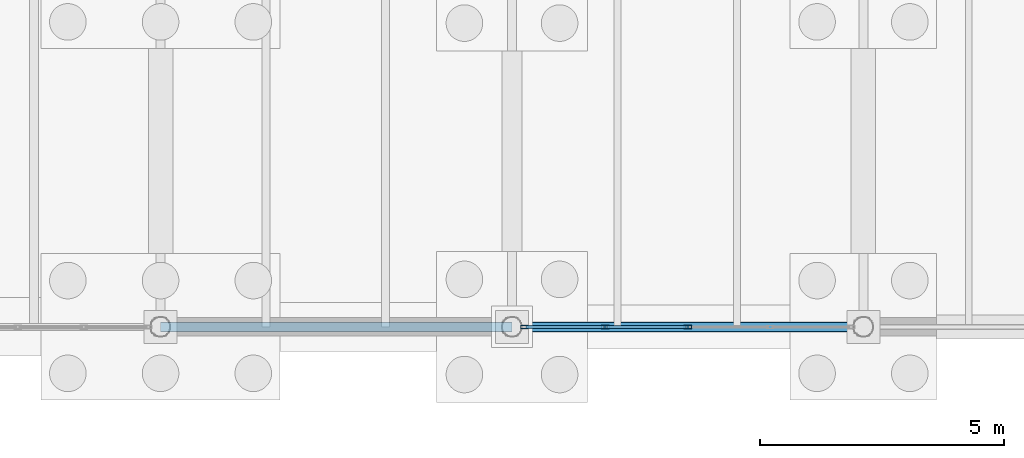
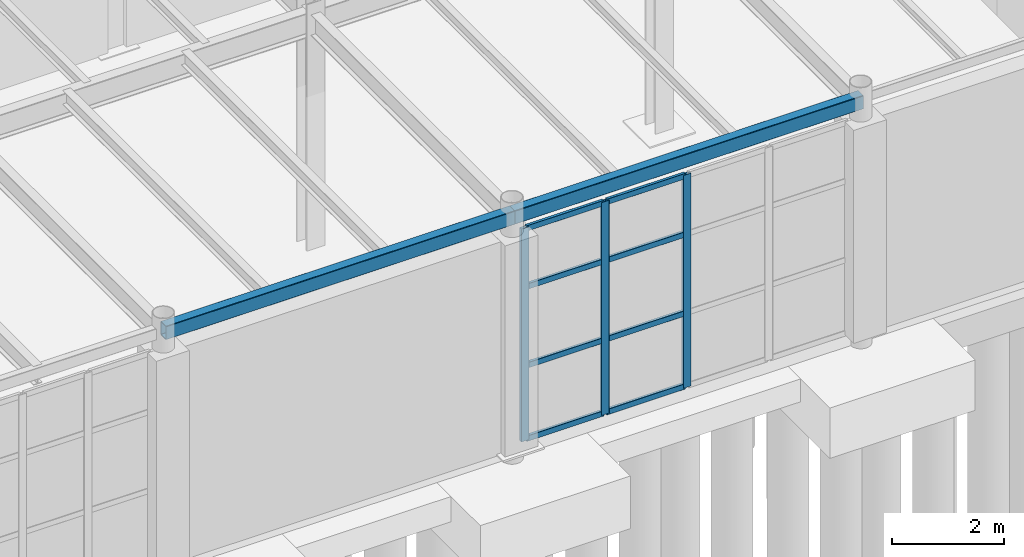
# One storey, part 51 of 293: 11 members, 2 beams, 1 element without a shape of its own.
"""IFC4 building model written with IfcOpenShell, lengths in metres."""

from ifc_helpers import new_model, si_unit, direction, frame, origin, origin_2d, place, context, subcontext, project, spatial, hollow_rectangle, extrude, material, layer, layer_set, material_profile, profile_set, type_object, element, aggregate, save


model = new_model("IFC4")

# Units and contexts
model_context = context("Model", 3, precision=1e-05, world=origin(), true_north=direction((0.0, 1.0)))
body_context = subcontext(model_context, "Body", "Model", "MODEL_VIEW")
ifc_project = project(units=[si_unit("LENGTHUNIT", "METRE"), si_unit("AREAUNIT", "SQUARE_METRE"), si_unit("VOLUMEUNIT", "CUBIC_METRE"), si_unit("PLANEANGLEUNIT", "RADIAN"), si_unit("MASSUNIT", "GRAM", prefix="KILO")], contexts=[model_context])

# Site, building, storey
site_placement = place(None, origin())
site = spatial("IfcSite", under=ifc_project, at=site_placement, CompositionType="ELEMENT")
building_placement = place(site_placement, origin())
building = spatial("IfcBuilding", under=site, at=building_placement, Name="Kemerveld Promenade Tramway Depot", CompositionType="ELEMENT")
storey_placement = place(building_placement, origin())
storey = spatial("IfcBuildingStorey", under=building, at=storey_placement, Name="L00", CompositionType="ELEMENT", Elevation=0.0)

# Beams
ifc_material_1 = material(Name="Steel S355", Category="steel")
ifc_material_profile_1 = material_profile(ifc_material_1, hollow_rectangle(XDim=0.199951171875, YDim=0.300048828125, WallThickness=0.012451171875, InnerFilletRadius=0.00634765625, OuterFilletRadius=0.018798828125, at=origin_2d()), Name="300x200x12.5 RHS")
ifc_profile_set_1 = profile_set([ifc_material_profile_1], Name="Steel S355")
beam_type_1 = type_object("IfcBeamType", Name="BM-G18", PredefinedType="BEAM", material=ifc_profile_set_1)
beam_1_placement = place(storey_placement, frame((36.0, 0.0, 5.0), z_axis=(1.0, 0.0, 0.0), x_axis=(0.0, 1.0, 0.0)))
element("IfcBeam", 1, at=beam_1_placement, inside=storey, type_object=beam_type_1, Name="BMX-L00-06-07-A", PredefinedType="BEAM", context=body_context, shape_type="SweptSolid", body=[
    extrude(hollow_rectangle(XDim=0.199951171875, YDim=0.300048828125, WallThickness=0.012451171875, InnerFilletRadius=0.00634765625, OuterFilletRadius=0.018798828125, at=origin_2d()), origin(), (0.0, 0.0, 1.0), 7.199951171875),
])
ifc_material_profile_2 = material_profile(ifc_material_1, hollow_rectangle(XDim=0.199951171875, YDim=0.300048828125, WallThickness=0.012451171875, InnerFilletRadius=0.00634765625, OuterFilletRadius=0.018798828125, at=origin_2d()), Name="300x200x12.5 RHS")
ifc_profile_set_2 = profile_set([ifc_material_profile_2], Name="Steel S355")
beam_type_2 = type_object("IfcBeamType", Name="BM-SP1", PredefinedType="SPANDREL", material=ifc_profile_set_2)
beam_2_placement = place(storey_placement, frame((43.199951171875, 0.0, 5.0), z_axis=(1.0, 0.0, 0.0), x_axis=(0.0, 1.0, 0.0)))
element("IfcBeam", 2, at=beam_2_placement, inside=storey, type_object=beam_type_2, Name="BMX-L00-07-08-A", PredefinedType="SPANDREL", context=body_context, shape_type="SweptSolid", body=[
    extrude(hollow_rectangle(XDim=0.199951171875, YDim=0.300048828125, WallThickness=0.012451171875, InnerFilletRadius=0.00634765625, OuterFilletRadius=0.018798828125, at=origin_2d()), origin(), (0.0, 0.0, 1.0), 7.199951171875),
])

# Curtain wall, members
ifc_material_2 = material(Name="Bronze anodised aluminium and solar glass", Category="aluminium")
ifc_layer = layer(ifc_material_2, 0.159912109375)
ifc_layer_set = layer_set([ifc_layer], Name="CW-SYS-05")
curtain_wall_type = type_object("IfcCurtainWallType", Name="CW-SYS-05", PredefinedType="USERDEFINED", material=ifc_layer_set)
curtain_wall_placement = place(storey_placement, origin())
curtain_wall = element("IfcCurtainWall", 3, at=curtain_wall_placement, inside=storey, type_object=curtain_wall_type, Name="CW-L00-V5S-02", ObjectType="GLAZED_CURTAIN_WALL", PredefinedType="USERDEFINED")
ifc_material_3 = material(Name="Bronze anodised aluminium", Category="aluminium")
ifc_material_profile_3 = material_profile(ifc_material_3, hollow_rectangle(XDim=0.06494140625, YDim=0.159912109375, WallThickness=0.00390625, InnerFilletRadius=0.001953125, OuterFilletRadius=0.00390625, at=origin_2d()), Name="CW-MUL-160x65")
ifc_profile_set_3 = profile_set([ifc_material_profile_3], Name="Bronze anodised aluminium")
member_type_1 = type_object("IfcMemberType", Name="CW-MUL-A", PredefinedType="MULLION", material=ifc_profile_set_3)
member_1_placement = place(storey_placement, frame((46.800048828125, 0.0, 0.0), z_axis=(0.0, 0.0, 1.0), x_axis=(0.0, -1.0, 0.0)))
member_1 = element("IfcMember", 4, at=member_1_placement, type_object=member_type_1, Name="CW05 mullion 3", PredefinedType="MULLION", context=body_context, shape_type="SweptSolid", body=[
    extrude(hollow_rectangle(XDim=0.06494140625, YDim=0.159912109375, WallThickness=0.00390625, InnerFilletRadius=0.001953125, OuterFilletRadius=0.00390625, at=origin_2d()), origin(), (0.0, 0.0, 1.0), 4.64990234375),
])
member_2_placement = place(storey_placement, frame((45.111572265625, 0.0, 0.0), z_axis=(0.0, 0.0, 1.0), x_axis=(0.0, -1.0, 0.0)))
member_2 = element("IfcMember", 5, at=member_2_placement, type_object=member_type_1, Name="CW05 mullion 4", PredefinedType="MULLION", context=body_context, shape_type="SweptSolid", body=[
    extrude(hollow_rectangle(XDim=0.06494140625, YDim=0.159912109375, WallThickness=0.00390625, InnerFilletRadius=0.001953125, OuterFilletRadius=0.00390625, at=origin_2d()), origin(), (0.0, 0.0, 1.0), 4.64990234375),
])
member_3_placement = place(storey_placement, frame((43.455810546875, 0.0, 0.0), z_axis=(0.0, 0.0, 1.0), x_axis=(0.0, -1.0, 0.0)))
member_3 = element("IfcMember", 6, at=member_3_placement, type_object=member_type_1, Name="CW05 mullion 5", PredefinedType="MULLION", context=body_context, shape_type="SweptSolid", body=[
    extrude(hollow_rectangle(XDim=0.06494140625, YDim=0.159912109375, WallThickness=0.00390625, InnerFilletRadius=0.001953125, OuterFilletRadius=0.00390625, at=origin_2d()), origin(), (0.0, 0.0, 1.0), 4.64990234375),
])
ifc_material_profile_4 = material_profile(ifc_material_3, hollow_rectangle(XDim=0.06005859375, YDim=0.1201171875, WallThickness=0.00390625, InnerFilletRadius=0.001953125, OuterFilletRadius=0.00390625, at=origin_2d()), Name="CW-TRN-120x60")
ifc_profile_set_4 = profile_set([ifc_material_profile_4], Name="Bronze anodised aluminium")
member_type_2 = type_object("IfcMemberType", Name="CW-TRN-A", PredefinedType="USERDEFINED", material=ifc_profile_set_4)
member_4_placement = place(storey_placement, frame((46.767578125, 0.0, 0.030029296875), z_axis=(-1.0, 0.0, 0.0), x_axis=(0.0, -1.0, 0.0)))
member_4 = element("IfcMember", 7, at=member_4_placement, type_object=member_type_2, Name="CW05 transom 3.1", ObjectType="TRANSOM", PredefinedType="USERDEFINED", context=body_context, shape_type="SweptSolid", body=[
    extrude(hollow_rectangle(XDim=0.06005859375, YDim=0.1201171875, WallThickness=0.00390625, InnerFilletRadius=0.001953125, OuterFilletRadius=0.00390625, at=origin_2d()), origin(), (0.0, 0.0, 1.0), 1.62353515625),
])
member_5_placement = place(storey_placement, frame((46.767578125, 0.0, 1.626953125), z_axis=(-1.0, 0.0, 0.0), x_axis=(0.0, -1.0, 0.0)))
member_5 = element("IfcMember", 8, at=member_5_placement, type_object=member_type_2, Name="CW05 transom 3.2", ObjectType="TRANSOM", PredefinedType="USERDEFINED", context=body_context, shape_type="SweptSolid", body=[
    extrude(hollow_rectangle(XDim=0.06005859375, YDim=0.1201171875, WallThickness=0.00390625, InnerFilletRadius=0.001953125, OuterFilletRadius=0.00390625, at=origin_2d()), origin(), (0.0, 0.0, 1.0), 1.62353515625),
])
member_6_placement = place(storey_placement, frame((46.767578125, 0.0, 3.347900390625), z_axis=(-1.0, 0.0, 0.0), x_axis=(0.0, -1.0, 0.0)))
member_6 = element("IfcMember", 9, at=member_6_placement, type_object=member_type_2, Name="CW05 transom 3.3", ObjectType="TRANSOM", PredefinedType="USERDEFINED", context=body_context, shape_type="SweptSolid", body=[
    extrude(hollow_rectangle(XDim=0.06005859375, YDim=0.1201171875, WallThickness=0.00390625, InnerFilletRadius=0.001953125, OuterFilletRadius=0.00390625, at=origin_2d()), origin(), (0.0, 0.0, 1.0), 1.62353515625),
])
member_7_placement = place(storey_placement, frame((46.767578125, 0.0, 4.6201171875), z_axis=(-1.0, 0.0, 0.0), x_axis=(0.0, -1.0, 0.0)))
member_7 = element("IfcMember", 10, at=member_7_placement, type_object=member_type_2, Name="CW05 transom 3.4", ObjectType="TRANSOM", PredefinedType="USERDEFINED", context=body_context, shape_type="SweptSolid", body=[
    extrude(hollow_rectangle(XDim=0.06005859375, YDim=0.1201171875, WallThickness=0.00390625, InnerFilletRadius=0.001953125, OuterFilletRadius=0.00390625, at=origin_2d()), origin(), (0.0, 0.0, 1.0), 1.62353515625),
])
member_8_placement = place(storey_placement, frame((45.0791015625, 0.0, 0.030029296875), z_axis=(-1.0, 0.0, 0.0), x_axis=(0.0, -1.0, 0.0)))
member_8 = element("IfcMember", 11, at=member_8_placement, type_object=member_type_2, Name="CW05 transom 4.1", ObjectType="TRANSOM", PredefinedType="USERDEFINED", context=body_context, shape_type="SweptSolid", body=[
    extrude(hollow_rectangle(XDim=0.06005859375, YDim=0.1201171875, WallThickness=0.00390625, InnerFilletRadius=0.001953125, OuterFilletRadius=0.00390625, at=origin_2d()), origin(), (0.0, 0.0, 1.0), 1.5908203125),
])
member_9_placement = place(storey_placement, frame((45.0791015625, 0.0, 1.626953125), z_axis=(-1.0, 0.0, 0.0), x_axis=(0.0, -1.0, 0.0)))
member_9 = element("IfcMember", 12, at=member_9_placement, type_object=member_type_2, Name="CW05 transom 4.2", ObjectType="TRANSOM", PredefinedType="USERDEFINED", context=body_context, shape_type="SweptSolid", body=[
    extrude(hollow_rectangle(XDim=0.06005859375, YDim=0.1201171875, WallThickness=0.00390625, InnerFilletRadius=0.001953125, OuterFilletRadius=0.00390625, at=origin_2d()), origin(), (0.0, 0.0, 1.0), 1.5908203125),
])
member_10_placement = place(storey_placement, frame((45.0791015625, 0.0, 3.347900390625), z_axis=(-1.0, 0.0, 0.0), x_axis=(0.0, -1.0, 0.0)))
member_10 = element("IfcMember", 13, at=member_10_placement, type_object=member_type_2, Name="CW05 transom 4.3", ObjectType="TRANSOM", PredefinedType="USERDEFINED", context=body_context, shape_type="SweptSolid", body=[
    extrude(hollow_rectangle(XDim=0.06005859375, YDim=0.1201171875, WallThickness=0.00390625, InnerFilletRadius=0.001953125, OuterFilletRadius=0.00390625, at=origin_2d()), origin(), (0.0, 0.0, 1.0), 1.5908203125),
])
member_11_placement = place(storey_placement, frame((45.0791015625, 0.0, 4.6201171875), z_axis=(-1.0, 0.0, 0.0), x_axis=(0.0, -1.0, 0.0)))
member_11 = element("IfcMember", 14, at=member_11_placement, type_object=member_type_2, Name="CW05 transom 4.4", ObjectType="TRANSOM", PredefinedType="USERDEFINED", context=body_context, shape_type="SweptSolid", body=[
    extrude(hollow_rectangle(XDim=0.06005859375, YDim=0.1201171875, WallThickness=0.00390625, InnerFilletRadius=0.001953125, OuterFilletRadius=0.00390625, at=origin_2d()), origin(), (0.0, 0.0, 1.0), 1.5908203125),
])
aggregate(curtain_wall, [member_1, member_2, member_3, member_4, member_5, member_6, member_7, member_8, member_9, member_10, member_11])

save(model, "model.ifc")
